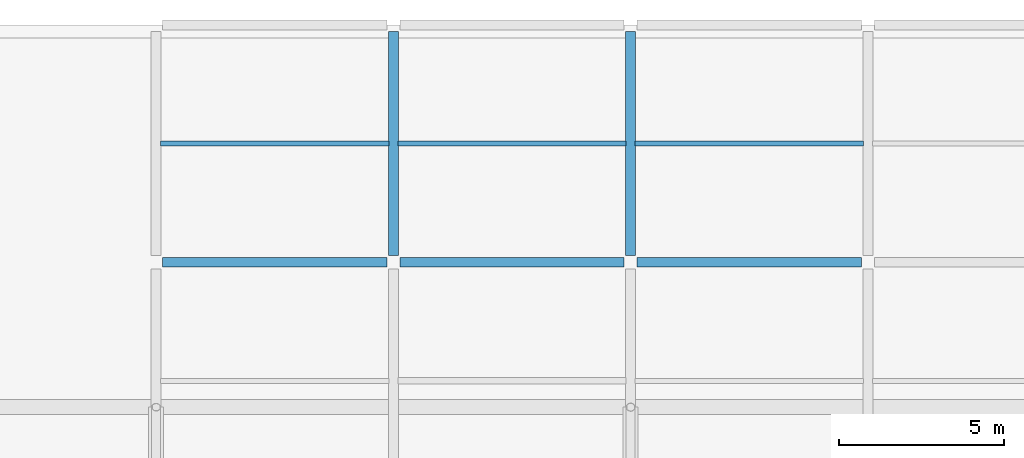
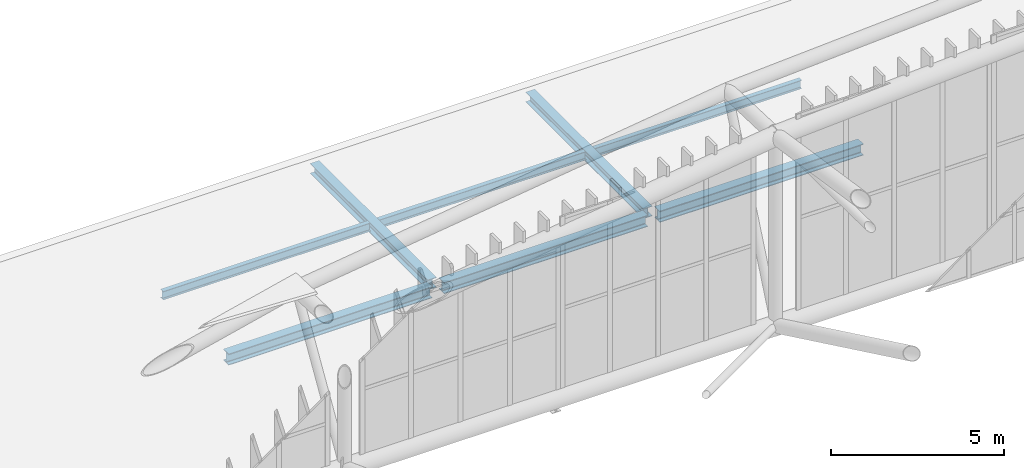
# One storey, part 259 of 397: 8 beams.
"""IFC4 building model written with IfcOpenShell, lengths in metres."""

from ifc_helpers import new_model, si_unit, direction, frame, origin, origin_2d, place, context, subcontext, project, spatial, i_section, extrude, material, material_profile, profile_set, type_object, element, save


model = new_model("IFC4")

# Units and contexts
model_context = context("Model", 3, precision=1e-05, world=origin(), true_north=direction((0.0, 1.0)))
body_context = subcontext(model_context, "Body", "Model", "MODEL_VIEW")
ifc_project = project(units=[si_unit("LENGTHUNIT", "METRE"), si_unit("AREAUNIT", "SQUARE_METRE"), si_unit("VOLUMEUNIT", "CUBIC_METRE"), si_unit("PLANEANGLEUNIT", "RADIAN"), si_unit("MASSUNIT", "GRAM", prefix="KILO")], contexts=[model_context])

# Site, building, storey
site_placement = place(None, origin())
site = spatial("IfcSite", under=ifc_project, at=site_placement, CompositionType="ELEMENT")
building_placement = place(site_placement, origin())
building = spatial("IfcBuilding", under=site, at=building_placement, Name="Qandorah Velis Arena", CompositionType="ELEMENT")
storey_placement = place(building_placement, frame((0.0, 0.0, 27.5)))
storey = spatial("IfcBuildingStorey", under=building, at=storey_placement, Name="RF", CompositionType="ELEMENT", Elevation=27.5)

# Beams
ifc_material = material(Name="Steel S355", Category="steel")
ifc_material_profile_1 = material_profile(ifc_material, i_section(OverallWidth=0.300048828125, OverallDepth=0.360107421875, WebThickness=0.012451171875, FlangeThickness=0.0224609375, FilletRadius=0.027099609375, at=origin_2d()), Name="HEB 360")
ifc_profile_set_1 = profile_set([ifc_material_profile_1], Name="Steel S355")
beam_type_1 = type_object("IfcBeamType", Name="STR-BM-HEB360", PredefinedType="BEAM", material=ifc_profile_set_1)
for number, where, z_axis, x_axis, name in (
    (1, (36.0, 122.60009765625, -0.39990234375), (0.0, 1.0, 0.0), (-1.0, 0.0, 0.0), "Primary floor girder RF Y-094"),
    (2, (43.199951171875, 122.60009765625, -0.39990234375), (0.0, 1.0, 0.0), (-1.0, 0.0, 0.0), "Primary floor girder RF Y-098"),
):
    element("IfcBeam", number, at=place(storey_placement, frame(where, z_axis=z_axis, x_axis=x_axis)), inside=storey, type_object=beam_type_1, Name=name, PredefinedType="BEAM", context=body_context, shape_type="SweptSolid", body=[
        extrude(i_section(OverallWidth=0.300048828125, OverallDepth=0.360107421875, WebThickness=0.012451171875, FlangeThickness=0.0224609375, FilletRadius=0.027099609375, at=origin_2d()), origin(), (0.0, 0.0, 1.0), 6.7998046875),
    ])
ifc_material_profile_2 = material_profile(ifc_material, i_section(OverallWidth=0.300048828125, OverallDepth=0.39990234375, WebThickness=0.013427734375, FlangeThickness=0.02392578125, FilletRadius=0.027099609375, at=origin_2d()), Name="HEB 400")
ifc_profile_set_2 = profile_set([ifc_material_profile_2], Name="Steel S355")
beam_type_2 = type_object("IfcBeamType", Name="STR-BM-HEB400", PredefinedType="BEAM", material=ifc_profile_set_2)
for number, where, z_axis, x_axis, name in (
    (3, (29.0, 122.39990234375, -0.419921875), (1.0, 0.0, 0.0), (0.0, 1.0, 0.0), "Primary floor girder RF X-045"),
    (4, (36.199951171875, 122.39990234375, -0.419921875), (1.0, 0.0, 0.0), (0.0, 1.0, 0.0), "Primary floor girder RF X-046"),
    (5, (43.39990234375, 122.39990234375, -0.419921875), (1.0, 0.0, 0.0), (0.0, 1.0, 0.0), "Primary floor girder RF X-047"),
):
    element("IfcBeam", number, at=place(storey_placement, frame(where, z_axis=z_axis, x_axis=x_axis)), inside=storey, type_object=beam_type_2, Name=name, PredefinedType="BEAM", context=body_context, shape_type="SweptSolid", body=[
        extrude(i_section(OverallWidth=0.300048828125, OverallDepth=0.39990234375, WebThickness=0.013427734375, FlangeThickness=0.02392578125, FilletRadius=0.027099609375, at=origin_2d()), origin(), (0.0, 0.0, 1.0), 6.800048828125),
    ])
ifc_material_profile_3 = material_profile(ifc_material, i_section(OverallWidth=0.14990234375, OverallDepth=0.300048828125, WebThickness=0.007080078125, FlangeThickness=0.0107421875, FilletRadius=0.014892578125, at=origin_2d()), Name="IPE 300")
ifc_profile_set_3 = profile_set([ifc_material_profile_3], Name="Steel S355")
beam_type_3 = type_object("IfcBeamType", Name="STR-JST-IPE300", PredefinedType="JOIST", material=ifc_profile_set_3)
for number, where, z_axis, x_axis, name in (
    (6, (28.93505859375, 126.0, -0.3701171875), (1.0, 0.0, 0.0), (0.0, 1.0, 0.0), "Secondary floor joist RF-016"),
    (7, (36.135009765625, 126.0, -0.3701171875), (1.0, 0.0, 0.0), (0.0, 1.0, 0.0), "Secondary floor joist RF-020"),
    (8, (43.3349609375, 126.0, -0.3701171875), (1.0, 0.0, 0.0), (0.0, 1.0, 0.0), "Secondary floor joist RF-024"),
):
    element("IfcBeam", number, at=place(storey_placement, frame(where, z_axis=z_axis, x_axis=x_axis)), inside=storey, type_object=beam_type_3, Name=name, PredefinedType="JOIST", context=body_context, shape_type="SweptSolid", body=[
        extrude(i_section(OverallWidth=0.14990234375, OverallDepth=0.300048828125, WebThickness=0.007080078125, FlangeThickness=0.0107421875, FilletRadius=0.014892578125, at=origin_2d()), origin(), (0.0, 0.0, 1.0), 6.929931640625),
    ])

save(model, "model.ifc")
